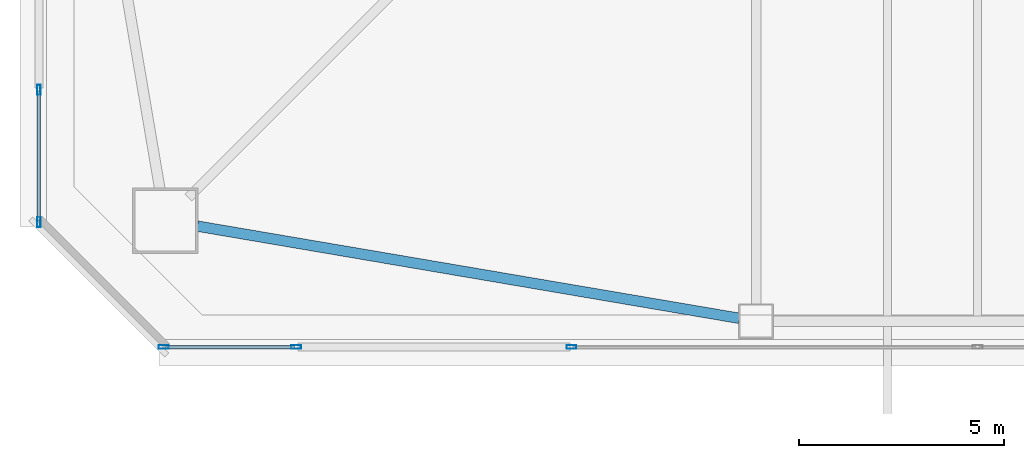
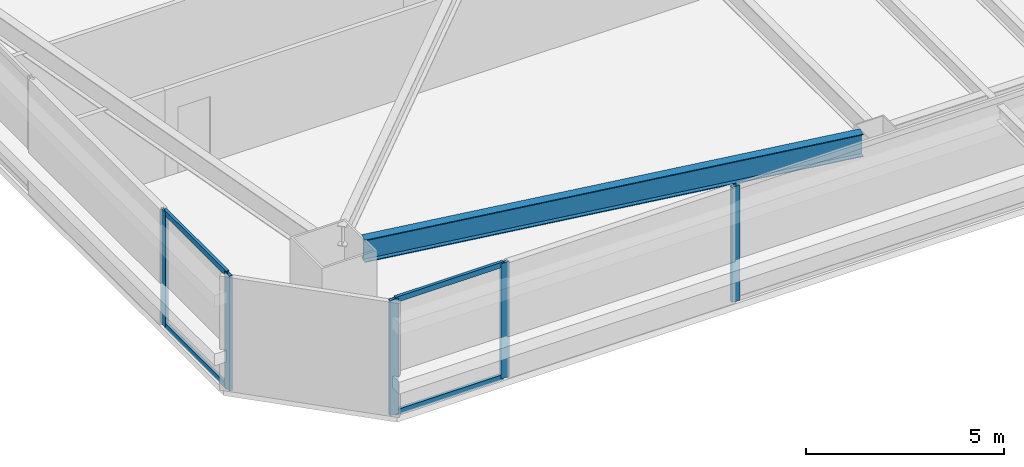
# One storey, part 3 of 48: 9 members, 1 beam, 3 elements without a shape of their own.
"""IFC4 building model written with IfcOpenShell, lengths in metres."""

from ifc_helpers import new_model, si_unit, direction, frame, origin, origin_2d, place, context, subcontext, project, spatial, hollow_rectangle, i_section, extrude, material, material_profile, profile_set, type_object, element, aggregate, save


model = new_model("IFC4")

# Units and contexts
model_context = context("Model", 3, precision=1e-05, world=origin(), true_north=direction((0.0, 1.0)))
body_context = subcontext(model_context, "Body", "Model", "MODEL_VIEW")
ifc_project = project(units=[si_unit("LENGTHUNIT", "METRE"), si_unit("AREAUNIT", "SQUARE_METRE"), si_unit("VOLUMEUNIT", "CUBIC_METRE"), si_unit("PLANEANGLEUNIT", "RADIAN"), si_unit("MASSUNIT", "GRAM", prefix="KILO")], contexts=[model_context])

# Site, building, storey
site_placement = place(None, origin())
site = spatial("IfcSite", under=ifc_project, at=site_placement, CompositionType="ELEMENT")
building_placement = place(site_placement, origin())
building = spatial("IfcBuilding", under=site, at=building_placement, Name="Tashvorn Skyway Center", CompositionType="ELEMENT")
storey_placement = place(building_placement, frame((0.0, 0.0, 53.0)))
storey = spatial("IfcBuildingStorey", under=building, at=storey_placement, Name="L13", CompositionType="ELEMENT", Elevation=53.0)

# Beam
ifc_material_1 = material(Name="Steel ASTM A992 Grade 50", Category="steel")
ifc_material_profile_1 = material_profile(ifc_material_1, i_section(OverallWidth=0.256103515625, OverallDepth=0.693115234375, WebThickness=0.014404296875, FlangeThickness=0.023681640625, at=origin_2d()), Name="W27X114")
ifc_profile_set_1 = profile_set([ifc_material_profile_1], Name="Steel ASTM A992 Grade 50")
beam_type = type_object("IfcBeamType", Name="BM-SPANDREL-W27X114", PredefinedType="SPANDREL", material=ifc_profile_set_1)
beam_placement = place(storey_placement, frame((22.983642578125, 12.066650390625, 3.00341796875), z_axis=(0.985835025551, -0.16771792509, 0.0), x_axis=(0.16771792509, 0.985835025551, 0.0)))
element("IfcBeam", 1, at=beam_placement, inside=storey, type_object=beam_type, Name="Tower 1 L13 Spandrel Beam 01", PredefinedType="SPANDREL", context=body_context, shape_type="SweptSolid", body=[
    extrude(i_section(OverallWidth=0.256103515625, OverallDepth=0.693115234375, WebThickness=0.014404296875, FlangeThickness=0.023681640625, at=origin_2d()), origin(), (0.0, 0.0, 1.0), 13.39208984375),
])

# Curtain wall, member
ifc_material_2 = material(Name="Thermally broken bronze-anodized aluminium 6063-T6", Category="aluminium")
curtain_wall_type = type_object("IfcCurtainWallType", Name="CW-CW-Z1", PredefinedType="NOTDEFINED", material=ifc_material_2)
curtain_wall_1_placement = place(storey_placement, origin())
curtain_wall_1 = element("IfcCurtainWall", 2, at=curtain_wall_1_placement, inside=storey, type_object=curtain_wall_type, Name="Tower 1 L13 South Unitised Curtain Wall Glazing Group 2", PredefinedType="NOTDEFINED")
ifc_material_profile_2 = material_profile(ifc_material_2, hollow_rectangle(XDim=0.0849609375, YDim=0.239990234375, WallThickness=0.0048828125, at=origin_2d()), Name="ALU-MULL-85x240")
ifc_profile_set_2 = profile_set([ifc_material_profile_2], Name="Thermally broken bronze-anodized aluminium 6063-T6")
member_type_1 = type_object("IfcMemberType", Name="CWM-CW-Z1", PredefinedType="MULLION", material=ifc_profile_set_2)
member_1_placement = place(storey_placement, frame((32.1025390625, 9.1201171875, 0.0), z_axis=(0.0, 0.0, 1.0), x_axis=(0.0, -1.0, 0.0)))
member_1 = element("IfcMember", 3, at=member_1_placement, type_object=member_type_1, Name="CW-Z1 mullion 3", PredefinedType="MULLION", context=body_context, shape_type="SweptSolid", body=[
    extrude(hollow_rectangle(XDim=0.0849609375, YDim=0.239990234375, WallThickness=0.0048828125, at=origin_2d()), origin(), (0.0, 0.0, 1.0), 3.550048828125),
])
aggregate(curtain_wall_1, [member_1])

# Curtain wall, members
curtain_wall_2_placement = place(storey_placement, origin())
curtain_wall_2 = element("IfcCurtainWall", 4, at=curtain_wall_2_placement, inside=storey, type_object=curtain_wall_type, Name="Tower 1 L13 South Unitised Curtain Wall Glazing Group 3", PredefinedType="NOTDEFINED")
member_2_placement = place(storey_placement, frame((25.390869140625, 9.1201171875, 0.0), z_axis=(0.0, 0.0, 1.0), x_axis=(0.0, -1.0, 0.0)))
member_2 = element("IfcMember", 5, at=member_2_placement, type_object=member_type_1, Name="CW-Z1 mullion 1", PredefinedType="MULLION", context=body_context, shape_type="SweptSolid", body=[
    extrude(hollow_rectangle(XDim=0.0849609375, YDim=0.239990234375, WallThickness=0.0048828125, at=origin_2d()), origin(), (0.0, 0.0, 1.0), 3.550048828125),
])
member_3_placement = place(storey_placement, frame((22.16259765625, 9.1201171875, 0.0), z_axis=(0.0, 0.0, 1.0), x_axis=(0.0, -1.0, 0.0)))
member_3 = element("IfcMember", 6, at=member_3_placement, type_object=member_type_1, Name="CW-Z1 mullion 2", PredefinedType="MULLION", context=body_context, shape_type="SweptSolid", body=[
    extrude(hollow_rectangle(XDim=0.0849609375, YDim=0.239990234375, WallThickness=0.0048828125, at=origin_2d()), origin(), (0.0, 0.0, 1.0), 3.550048828125),
])

curtain_wall_3_placement = place(storey_placement, origin())
curtain_wall_3 = element("IfcCurtainWall", 7, at=curtain_wall_3_placement, inside=storey, type_object=curtain_wall_type, Name="Tower 1 L13 West Unitised Curtain Wall Glazing Group 1", PredefinedType="NOTDEFINED")
member_4_placement = place(storey_placement, frame((19.1201171875, 12.16259765625, 0.0), z_axis=(0.0, 0.0, 1.0), x_axis=(-1.0, 0.0, 0.0)))
member_4 = element("IfcMember", 8, at=member_4_placement, type_object=member_type_1, Name="CW-Z1 mullion 1", PredefinedType="MULLION", context=body_context, shape_type="SweptSolid", body=[
    extrude(hollow_rectangle(XDim=0.0849609375, YDim=0.239990234375, WallThickness=0.0048828125, at=origin_2d()), origin(), (0.0, 0.0, 1.0), 3.550048828125),
])
member_5_placement = place(storey_placement, frame((19.1201171875, 15.390869140625, 0.0), z_axis=(0.0, 0.0, 1.0), x_axis=(-1.0, 0.0, 0.0)))
member_5 = element("IfcMember", 9, at=member_5_placement, type_object=member_type_1, Name="CW-Z1 mullion 2", PredefinedType="MULLION", context=body_context, shape_type="SweptSolid", body=[
    extrude(hollow_rectangle(XDim=0.0849609375, YDim=0.239990234375, WallThickness=0.0048828125, at=origin_2d()), origin(), (0.0, 0.0, 1.0), 3.550048828125),
])

# Member
ifc_material_profile_3 = material_profile(ifc_material_2, hollow_rectangle(XDim=0.0849609375, YDim=0.1650390625, WallThickness=0.0048828125, at=origin_2d()), Name="ALU-TRAN-85x165")
ifc_profile_set_3 = profile_set([ifc_material_profile_3], Name="Thermally broken bronze-anodized aluminium 6063-T6")
member_type_2 = type_object("IfcMemberType", Name="CWT-CW-Z1", PredefinedType="USERDEFINED", material=ifc_profile_set_3)
member_6_placement = place(storey_placement, frame((25.348388671875, 9.1201171875, 0.04248046875), z_axis=(-1.0, 0.0, 0.0), x_axis=(0.0, -1.0, 0.0)))
member_6 = element("IfcMember", 10, at=member_6_placement, type_object=member_type_2, Name="CW-Z1 transom 1.1", ObjectType="TRANSOM", PredefinedType="USERDEFINED", context=body_context, shape_type="SweptSolid", body=[
    extrude(hollow_rectangle(XDim=0.0849609375, YDim=0.1650390625, WallThickness=0.0048828125, at=origin_2d()), origin(), (0.0, 0.0, 1.0), 3.143310546875),
])

member_7_placement = place(storey_placement, frame((25.348388671875, 9.1201171875, 3.507568359375), z_axis=(-1.0, 0.0, 0.0), x_axis=(0.0, -1.0, 0.0)))
member_7 = element("IfcMember", 11, at=member_7_placement, type_object=member_type_2, Name="CW-Z1 transom 1.2", ObjectType="TRANSOM", PredefinedType="USERDEFINED", context=body_context, shape_type="SweptSolid", body=[
    extrude(hollow_rectangle(XDim=0.0849609375, YDim=0.1650390625, WallThickness=0.0048828125, at=origin_2d()), origin(), (0.0, 0.0, 1.0), 3.143310546875),
])

aggregate(curtain_wall_2, [member_2, member_3, member_6, member_7])

member_8_placement = place(storey_placement, frame((19.1201171875, 12.205078125, 0.04248046875), z_axis=(0.0, 1.0, 0.0), x_axis=(-1.0, 0.0, 0.0)))
member_8 = element("IfcMember", 12, at=member_8_placement, type_object=member_type_2, Name="CW-Z1 transom 1.1", ObjectType="TRANSOM", PredefinedType="USERDEFINED", context=body_context, shape_type="SweptSolid", body=[
    extrude(hollow_rectangle(XDim=0.0849609375, YDim=0.1650390625, WallThickness=0.0048828125, at=origin_2d()), origin(), (0.0, 0.0, 1.0), 3.143310546875),
])

member_9_placement = place(storey_placement, frame((19.1201171875, 12.205078125, 3.507568359375), z_axis=(0.0, 1.0, 0.0), x_axis=(-1.0, 0.0, 0.0)))
member_9 = element("IfcMember", 13, at=member_9_placement, type_object=member_type_2, Name="CW-Z1 transom 1.2", ObjectType="TRANSOM", PredefinedType="USERDEFINED", context=body_context, shape_type="SweptSolid", body=[
    extrude(hollow_rectangle(XDim=0.0849609375, YDim=0.1650390625, WallThickness=0.0048828125, at=origin_2d()), origin(), (0.0, 0.0, 1.0), 3.143310546875),
])

aggregate(curtain_wall_3, [member_4, member_5, member_8, member_9])

save(model, "model.ifc")
